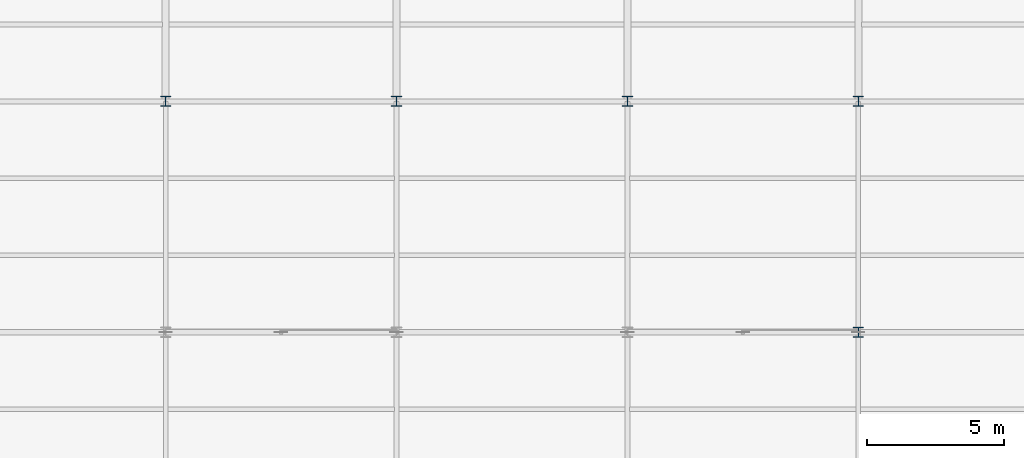
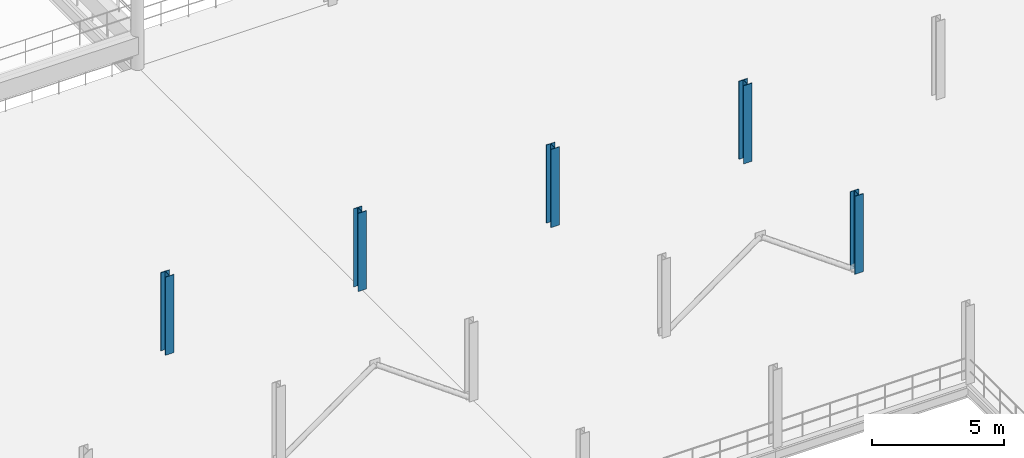
# One storey, part 8 of 62: 5 columns.
"""IFC4 building model written with IfcOpenShell, lengths in metres."""

from ifc_helpers import new_model, si_unit, direction, frame, origin, origin_2d, place, context, subcontext, project, spatial, i_section, extrude, material, material_profile, profile_set, type_object, element, save


model = new_model("IFC4")

# Units and contexts
model_context = context("Model", 3, precision=1e-05, world=origin(), true_north=direction((0.0, 1.0)))
body_context = subcontext(model_context, "Body", "Model", "MODEL_VIEW")
ifc_project = project(units=[si_unit("LENGTHUNIT", "METRE"), si_unit("AREAUNIT", "SQUARE_METRE"), si_unit("VOLUMEUNIT", "CUBIC_METRE"), si_unit("PLANEANGLEUNIT", "RADIAN"), si_unit("MASSUNIT", "GRAM", prefix="KILO"), si_unit("THERMODYNAMICTEMPERATUREUNIT", "KELVIN"), si_unit("POWERUNIT", "WATT")], contexts=[model_context])

# Site, building, storey
site_placement = place(None, origin())
site = spatial("IfcSite", under=ifc_project, at=site_placement, CompositionType="ELEMENT")
building_placement = place(site_placement, origin())
building = spatial("IfcBuilding", under=site, at=building_placement, Name="Tembeka Court Mobility Hub", CompositionType="ELEMENT")
storey_placement = place(building_placement, frame((0.0, 0.0, 16.199951171875)))
storey = spatial("IfcBuildingStorey", under=building, at=storey_placement, Name="L04", CompositionType="ELEMENT", Elevation=16.199951171875)

# Columns
ifc_material = material(Name="Steel S355", Category="steel")
ifc_material_profile = material_profile(ifc_material, i_section(OverallWidth=0.373046875, OverallDepth=0.367919921875, WebThickness=0.014404296875, FlangeThickness=0.023681640625, FilletRadius=0.01513671875, at=origin_2d()), Name="UKC 356x368x177")
ifc_profile_set = profile_set([ifc_material_profile], Name="Steel S355")
column_type = type_object("IfcColumnType", Name="COL-C03", PredefinedType="COLUMN", material=ifc_profile_set)
for number, where, z_axis, x_axis, name in (
    (1, (33.60009765625, 80.39990234375, 0.0), (0.0, 0.0, 1.0), (1.0, 0.0, 0.0), "Column C03 (L04-055)"),
    (2, (42.0, 80.39990234375, 0.0), (0.0, 0.0, 1.0), (1.0, 0.0, 0.0), "Column C03 (L04-067)"),
    (3, (50.39990234375, 80.39990234375, 0.0), (0.0, 0.0, 1.0), (1.0, 0.0, 0.0), "Column C03 (L04-079)"),
    (4, (58.800048828125, 72.0, 0.0), (0.0, 0.0, 1.0), (1.0, 0.0, 0.0), "Column C03 (L04-089)"),
    (5, (58.800048828125, 80.39990234375, 0.0), (0.0, 0.0, 1.0), (1.0, 0.0, 0.0), "Column C03 (L04-090)"),
):
    element("IfcColumn", number, at=place(storey_placement, frame(where, z_axis=z_axis, x_axis=x_axis)), inside=storey, type_object=column_type, Name=name, PredefinedType="COLUMN", context=body_context, shape_type="SweptSolid", body=[
        extrude(i_section(OverallWidth=0.373046875, OverallDepth=0.367919921875, WebThickness=0.014404296875, FlangeThickness=0.023681640625, FilletRadius=0.01513671875, at=origin_2d()), origin(), (0.0, 0.0, 1.0), 3.60009765625),
    ])

save(model, "model.ifc")
